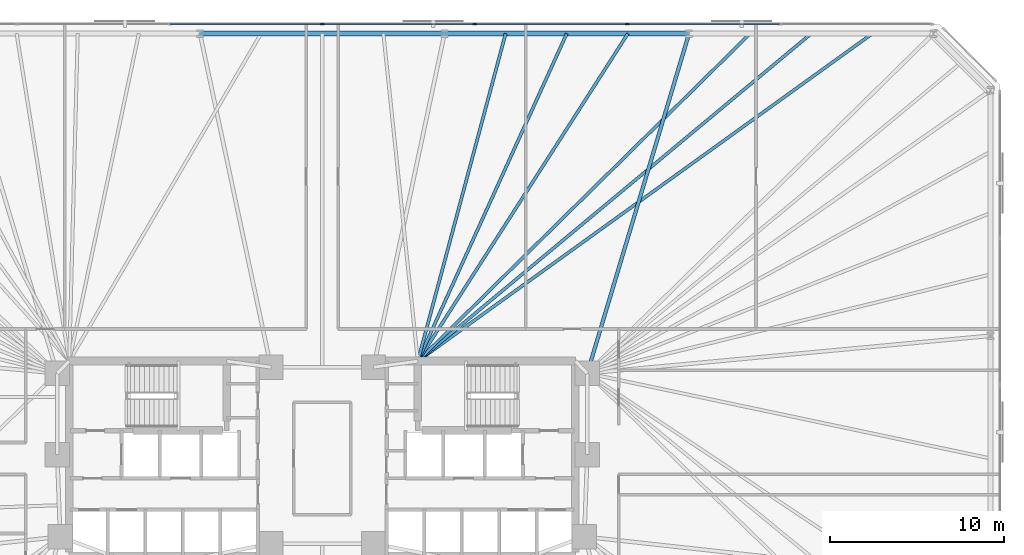
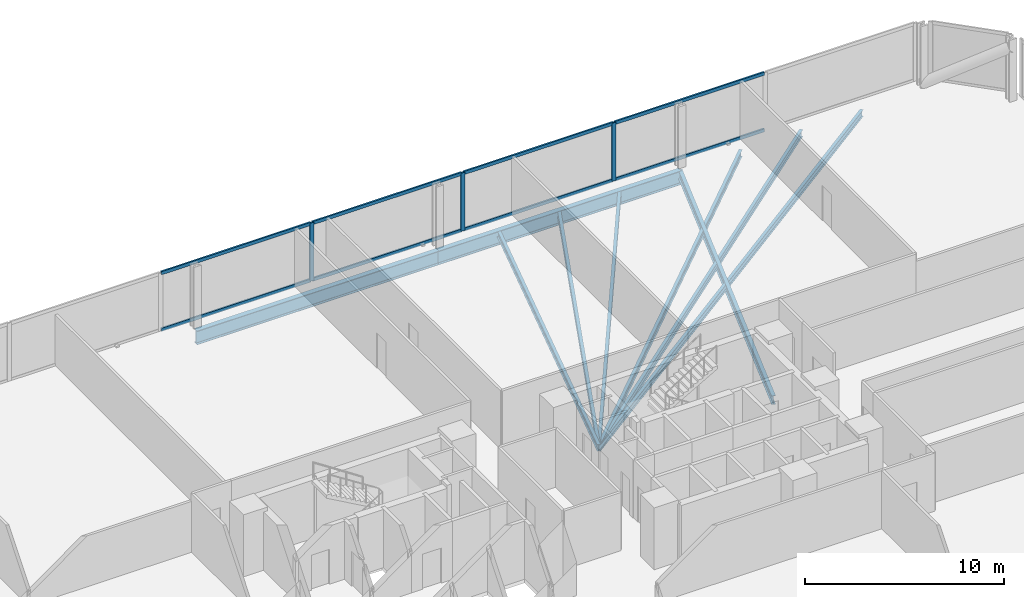
# One storey, part 9 of 17: 11 members, 9 beams, 1 element without a shape of its own.
"""IFC4 building model written with IfcOpenShell, lengths in metres."""

import ifcopenshell
import ifcopenshell.guid

model = None  # the IFC model being written
_history = None  # IfcOwnerHistory: only IFC2X3 demands one
_inside = {}  # id of a spatial element -> (the spatial element, [elements in it])
_under = {}  # id of a project, library or spatial element -> (it, [spatial elements below it])
_declared = {}  # id of a project -> (the project, [libraries it declares])
_typed = {}  # id of a type object -> (the type object, [elements of that type])
_made_of = {}  # id of a material, layer set ... -> (it, [elements and type objects made of it])


def new_model(schema):
    """Start an empty IFC model of exactly this schema.

    Asked for "IFC4X3", IfcOpenShell would pick the latest addendum, in which some entities
    have other attributes; the version numbers below select the first issue.
    IFC2X3 requires an IfcOwnerHistory on every rooted entity: one is made here for all.
    """
    global model, _history
    if schema == "IFC4X3":
        model = ifcopenshell.file(schema_version=(4, 3, 0, 0))
    else:
        model = ifcopenshell.file(schema=schema)
    _inside.clear()
    _under.clear()
    _declared.clear()
    _typed.clear()
    _made_of.clear()
    _history = None
    if model.schema == "IFC2X3":
        org = make("IfcOrganization", Name="unknown")
        user = make(
            "IfcPersonAndOrganization",
            ThePerson=make("IfcPerson", FamilyName="unknown"),
            TheOrganization=org,
        )
        app = make(
            "IfcApplication",
            ApplicationDeveloper=org,
            Version="unknown",
            ApplicationFullName="unknown",
            ApplicationIdentifier="unknown",
        )
        _history = make(
            "IfcOwnerHistory",
            OwningUser=user,
            OwningApplication=app,
            ChangeAction="ADDED",
            CreationDate=0,
        )
    return model


def make(cls, **values):
    """One entity of the class cls with the attributes given. An attribute that is None is left unset."""
    return model.create_entity(
        cls, **{name: value for name, value in values.items() if value is not None}
    )


def rooted(cls, **values):
    """An entity with a GlobalId (a new one), such as an element, a storey or a relation."""
    return make(cls, GlobalId=ifcopenshell.guid.new(), OwnerHistory=_history, **values)


def si_unit(unit_type, name, prefix=None):
    """IfcSIUnit, for example si_unit("LENGTHUNIT", "METRE", prefix="MILLI")."""
    return make("IfcSIUnit", UnitType=unit_type, Prefix=prefix, Name=name)


def assignment(units):
    """IfcUnitAssignment: the units of a project."""
    return None if units is None else make("IfcUnitAssignment", Units=units)


def point(xyz):
    """IfcCartesianPoint."""
    return None if xyz is None else make("IfcCartesianPoint", Coordinates=xyz)


def direction(xyz):
    """IfcDirection."""
    return None if xyz is None else make("IfcDirection", DirectionRatios=xyz)


def frame(location, z_axis=None, x_axis=None):
    """IfcAxis2Placement3D, a coordinate frame: its origin and axes. An axis left out is left unset."""
    return make(
        "IfcAxis2Placement3D",
        Location=point(location),
        Axis=direction(z_axis),
        RefDirection=direction(x_axis),
    )


def frame_2d(location, x_axis=None):
    """IfcAxis2Placement2D, a coordinate frame in the plane: its origin and x axis."""
    return make(
        "IfcAxis2Placement2D", Location=point(location), RefDirection=direction(x_axis)
    )


def origin():
    """The frame at (0, 0, 0) with its axes left unset."""
    return frame((0.0, 0.0, 0.0))


def origin_2d():
    """The frame at (0, 0) in the plane with its x axis left unset."""
    return frame_2d((0.0, 0.0))


def place(relative_to, where):
    """IfcLocalPlacement: puts the frame where relative to a parent placement (None: the world)."""
    return make(
        "IfcLocalPlacement", PlacementRelTo=relative_to, RelativePlacement=where
    )


def context(
    kind, dimensions, precision=None, world=None, true_north=None, identifier=None
):
    """IfcGeometricRepresentationContext, for example the 3D "Model" context."""
    return make(
        "IfcGeometricRepresentationContext",
        ContextIdentifier=identifier,
        ContextType=kind,
        CoordinateSpaceDimension=dimensions,
        Precision=precision,
        WorldCoordinateSystem=world,
        TrueNorth=true_north,
    )


def subcontext(parent, identifier, kind, view, scale=None):
    """IfcGeometricRepresentationSubContext, for example "Body" below "Model"."""
    return make(
        "IfcGeometricRepresentationSubContext",
        ContextIdentifier=identifier,
        ContextType=kind,
        ParentContext=parent,
        TargetScale=scale,
        TargetView=view,
    )


def project(units=None, contexts=None):
    """IfcProject with its units and contexts."""
    return rooted(
        "IfcProject",
        Name="project",
        RepresentationContexts=contexts,
        UnitsInContext=assignment(units),
    )


def spatial(cls, under=None, at=None, **own):
    """A site, building, storey or space (cls), placed at a placement, below another one or the project."""
    s = rooted(cls, ObjectPlacement=at, **own)
    if under is not None:
        _under.setdefault(under.id(), (under, []))[1].append(s)
    return s


def profile(cls, at=None, kind="AREA", **sizes):
    """A parametric profile (cls). Its sizes go by their IFC names, for example OverallWidth=200.0."""
    return make(cls, ProfileType=kind, Position=at, **sizes)


def rectangle(**sizes):
    """IfcRectangleProfileDef."""
    return profile("IfcRectangleProfileDef", **sizes)


def i_section(**sizes):
    """IfcIShapeProfileDef."""
    return profile("IfcIShapeProfileDef", **sizes)


def extrude(swept, where, along, depth):
    """IfcExtrudedAreaSolid: the profile swept, set in the frame where, extruded along a direction by depth."""
    return make(
        "IfcExtrudedAreaSolid",
        SweptArea=swept,
        Position=where,
        ExtrudedDirection=direction(along),
        Depth=depth,
    )


def shape(context_of_items, identifier, shape_type, items):
    """IfcShapeRepresentation: the items that make up one representation, for example the "Body"."""
    return make(
        "IfcShapeRepresentation",
        ContextOfItems=context_of_items,
        RepresentationIdentifier=identifier,
        RepresentationType=shape_type,
        Items=items,
    )


def material(Name=None, Category=None):
    """IfcMaterial."""
    return make("IfcMaterial", Name=Name, Category=Category)


def material_profile(
    of_material, cross_section, Name=None, Category=None, Priority=None
):
    """IfcMaterialProfile: a cross section and its material."""
    return make(
        "IfcMaterialProfile",
        Name=Name,
        Material=of_material,
        Profile=cross_section,
        Priority=Priority,
        Category=Category,
    )


def profile_set(profiles, Name=None, composite=None):
    """IfcMaterialProfileSet."""
    return make(
        "IfcMaterialProfileSet",
        Name=Name,
        MaterialProfiles=profiles,
        CompositeProfile=composite,
    )


def made_of(thing, what):
    """Note that an element or type object is made of a material, layer set ...; save() writes the relation."""
    if what is not None:
        _made_of.setdefault(what.id(), (what, []))[1].append(thing)
    return thing


def type_object(cls, material=None, **own):
    """A type object (cls), such as IfcWallType, which elements share."""
    return made_of(rooted(cls, **own), material)


def element(
    cls,
    number,
    at=None,
    inside=None,
    cuts=None,
    type_object=None,
    material=None,
    context=None,
    identifier="Body",
    shape_type=None,
    held_by="IfcProductDefinitionShape",
    body=None,
    shapes=None,
    **own,
):
    """One element of the class cls, such as IfcWall. Its Tag is "e" and its number.

    at: its placement. inside: the storey or other place that contains it. cuts: it is an
    opening in that element (IfcRelVoidsElement). A single representation is given by context,
    identifier, shape_type and body (its items); several are given by shapes. held_by: the class
    of the entity that holds the representations. save() writes the other relations.
    """
    e = rooted(cls, Tag="e%d" % number, ObjectPlacement=at, **own)
    if body is not None:
        shapes = [shape(context, identifier, shape_type, body)]
    if shapes is not None:
        e.Representation = make(held_by, Representations=shapes)
    if inside is not None:
        _inside.setdefault(inside.id(), (inside, []))[1].append(e)
    if cuts is not None:
        rooted(
            "IfcRelVoidsElement", RelatingBuildingElement=cuts, RelatedOpeningElement=e
        )
    if type_object is not None:
        _typed.setdefault(type_object.id(), (type_object, []))[1].append(e)
    return made_of(e, material)


def aggregate(whole, parts):
    """IfcRelAggregates: a whole, such as a stair, and the parts it consists of."""
    return rooted("IfcRelAggregates", RelatingObject=whole, RelatedObjects=parts)


def save(model, path):
    """Write the relations noted so far, then the file.

    IfcRelAggregates (storeys below a building ...), IfcRelContainedInSpatialStructure (elements
    in a storey), IfcRelDefinesByType, IfcRelAssociatesMaterial and IfcRelDeclares: one each for
    every whole, place, type object, material and project.
    """
    for whole, parts in _under.values():
        aggregate(whole, parts)
    for where, things in _inside.values():
        rooted(
            "IfcRelContainedInSpatialStructure",
            RelatedElements=things,
            RelatingStructure=where,
        )
    for kind, things in _typed.values():
        rooted("IfcRelDefinesByType", RelatedObjects=things, RelatingType=kind)
    for what, things in _made_of.values():
        rooted("IfcRelAssociatesMaterial", RelatedObjects=things, RelatingMaterial=what)
    for by, libraries in _declared.values():
        rooted("IfcRelDeclares", RelatingContext=by, RelatedDefinitions=libraries)
    model.write(path)


model = new_model("IFC4")

# Units and contexts
model_context = context("Model", 3, precision=1e-05, world=origin(), true_north=direction((0.0, 1.0)))
body_context = subcontext(model_context, "Body", "Model", "MODEL_VIEW")
ifc_project = project(units=[si_unit("LENGTHUNIT", "METRE"), si_unit("AREAUNIT", "SQUARE_METRE"), si_unit("VOLUMEUNIT", "CUBIC_METRE"), si_unit("PLANEANGLEUNIT", "RADIAN"), si_unit("MASSUNIT", "GRAM", prefix="KILO")], contexts=[model_context])

# Site, building, storey
site_placement = place(None, origin())
site = spatial("IfcSite", under=ifc_project, at=site_placement, CompositionType="ELEMENT")
building_placement = place(site_placement, origin())
building = spatial("IfcBuilding", under=site, at=building_placement, Name="Menara Jurai Vektor", CompositionType="ELEMENT")
storey_placement = place(building_placement, frame((0.0, 0.0, 18.0)))
storey = spatial("IfcBuildingStorey", under=building, at=storey_placement, Name="L03", CompositionType="ELEMENT", Elevation=18.0)

# Curtain wall, members
ifc_material_1 = material(Name="Anodised Pale Aluminium & Low-E Double Glazing", Category="aluminium")
curtain_wall_type = type_object("IfcCurtainWallType", Name="CW-BLK1", PredefinedType="NOTDEFINED", material=ifc_material_1)
curtain_wall_placement = place(storey_placement, origin())
curtain_wall = element("IfcCurtainWall", 1, at=curtain_wall_placement, inside=storey, type_object=curtain_wall_type, Name="Unitised Curtain Wall L03 F05", PredefinedType="NOTDEFINED")
ifc_material_2 = material(Name="Anodised Pale Aluminium Mullion", Category="aluminium")
ifc_material_profile_1 = material_profile(ifc_material_2, rectangle(XDim=0.094970703125, YDim=0.239990234375, at=origin_2d()), Name="ALU MUL 95x240")
ifc_profile_set_1 = profile_set([ifc_material_profile_1], Name="Anodised Pale Aluminium Mullion")
member_type_1 = type_object("IfcMemberType", Name="CW-BLK1-MUL", PredefinedType="MULLION", material=ifc_profile_set_1)
member_1_placement = place(storey_placement, frame((17.56005859375, 25.0, 0.0), z_axis=(0.0, 0.0, 1.0), x_axis=(0.0, -1.0, 0.0)))
member_1 = element("IfcMember", 2, at=member_1_placement, type_object=member_type_1, Name="CW-01 mullion 3", PredefinedType="MULLION", context=body_context, shape_type="SweptSolid", body=[
    extrude(rectangle(XDim=0.094970703125, YDim=0.239990234375, at=origin_2d()), origin(), (0.0, 0.0, 1.0), 3.574951171875),
])
member_2_placement = place(storey_placement, frame((8.780029296875, 25.0, 0.0), z_axis=(0.0, 0.0, 1.0), x_axis=(0.0, -1.0, 0.0)))
member_2 = element("IfcMember", 3, at=member_2_placement, type_object=member_type_1, Name="CW-01 mullion 4", PredefinedType="MULLION", context=body_context, shape_type="SweptSolid", body=[
    extrude(rectangle(XDim=0.094970703125, YDim=0.239990234375, at=origin_2d()), origin(), (0.0, 0.0, 1.0), 3.574951171875),
])
member_3_placement = place(storey_placement, frame((0.0, 25.0, 0.0), z_axis=(0.0, 0.0, 1.0), x_axis=(0.0, -1.0, 0.0)))
member_3 = element("IfcMember", 4, at=member_3_placement, type_object=member_type_1, Name="CW-01 mullion 5", PredefinedType="MULLION", context=body_context, shape_type="SweptSolid", body=[
    extrude(rectangle(XDim=0.094970703125, YDim=0.239990234375, at=origin_2d()), origin(), (0.0, 0.0, 1.0), 3.574951171875),
])
ifc_material_3 = material(Name="Anodised Pale Aluminium Transom", Category="aluminium")
ifc_material_profile_2 = material_profile(ifc_material_3, rectangle(XDim=0.094970703125, YDim=0.199951171875, at=origin_2d()), Name="ALU TRN 95x200")
ifc_profile_set_2 = profile_set([ifc_material_profile_2], Name="Anodised Pale Aluminium Transom")
member_type_2 = type_object("IfcMemberType", Name="CW-BLK1-TRN", PredefinedType="USERDEFINED", material=ifc_profile_set_2)
member_4_placement = place(storey_placement, frame((26.29248046875, 25.0, 0.047607421875), z_axis=(-1.0, 0.0, 0.0), x_axis=(0.0, -1.0, 0.0)))
member_4 = element("IfcMember", 5, at=member_4_placement, type_object=member_type_2, Name="CW-01 transom 2.1", ObjectType="TRANSOM", PredefinedType="USERDEFINED", context=body_context, shape_type="SweptSolid", body=[
    extrude(rectangle(XDim=0.094970703125, YDim=0.199951171875, at=origin_2d()), origin(), (0.0, 0.0, 1.0), 8.68505859375),
])
member_5_placement = place(storey_placement, frame((26.29248046875, 25.0, 3.527587890625), z_axis=(-1.0, 0.0, 0.0), x_axis=(0.0, -1.0, 0.0)))
member_5 = element("IfcMember", 6, at=member_5_placement, type_object=member_type_2, Name="CW-01 transom 2.2", ObjectType="TRANSOM", PredefinedType="USERDEFINED", context=body_context, shape_type="SweptSolid", body=[
    extrude(rectangle(XDim=0.094970703125, YDim=0.199951171875, at=origin_2d()), origin(), (0.0, 0.0, 1.0), 8.68505859375),
])
member_6_placement = place(storey_placement, frame((17.512451171875, 25.0, 0.047607421875), z_axis=(-1.0, 0.0, 0.0), x_axis=(0.0, -1.0, 0.0)))
member_6 = element("IfcMember", 7, at=member_6_placement, type_object=member_type_2, Name="CW-01 transom 3.1", ObjectType="TRANSOM", PredefinedType="USERDEFINED", context=body_context, shape_type="SweptSolid", body=[
    extrude(rectangle(XDim=0.094970703125, YDim=0.199951171875, at=origin_2d()), origin(), (0.0, 0.0, 1.0), 8.68505859375),
])
member_7_placement = place(storey_placement, frame((17.512451171875, 25.0, 3.527587890625), z_axis=(-1.0, 0.0, 0.0), x_axis=(0.0, -1.0, 0.0)))
member_7 = element("IfcMember", 8, at=member_7_placement, type_object=member_type_2, Name="CW-01 transom 3.2", ObjectType="TRANSOM", PredefinedType="USERDEFINED", context=body_context, shape_type="SweptSolid", body=[
    extrude(rectangle(XDim=0.094970703125, YDim=0.199951171875, at=origin_2d()), origin(), (0.0, 0.0, 1.0), 8.68505859375),
])
member_8_placement = place(storey_placement, frame((8.732421875, 25.0, 0.047607421875), z_axis=(-1.0, 0.0, 0.0), x_axis=(0.0, -1.0, 0.0)))
member_8 = element("IfcMember", 9, at=member_8_placement, type_object=member_type_2, Name="CW-01 transom 4.1", ObjectType="TRANSOM", PredefinedType="USERDEFINED", context=body_context, shape_type="SweptSolid", body=[
    extrude(rectangle(XDim=0.094970703125, YDim=0.199951171875, at=origin_2d()), origin(), (0.0, 0.0, 1.0), 8.684814453125),
])
member_9_placement = place(storey_placement, frame((8.732421875, 25.0, 3.527587890625), z_axis=(-1.0, 0.0, 0.0), x_axis=(0.0, -1.0, 0.0)))
member_9 = element("IfcMember", 10, at=member_9_placement, type_object=member_type_2, Name="CW-01 transom 4.2", ObjectType="TRANSOM", PredefinedType="USERDEFINED", context=body_context, shape_type="SweptSolid", body=[
    extrude(rectangle(XDim=0.094970703125, YDim=0.199951171875, at=origin_2d()), origin(), (0.0, 0.0, 1.0), 8.684814453125),
])
member_10_placement = place(storey_placement, frame((-0.047607421875, 25.0, 0.047607421875), z_axis=(-1.0, 0.0, 0.0), x_axis=(0.0, -1.0, 0.0)))
member_10 = element("IfcMember", 11, at=member_10_placement, type_object=member_type_2, Name="CW-01 transom 5.1", ObjectType="TRANSOM", PredefinedType="USERDEFINED", context=body_context, shape_type="SweptSolid", body=[
    extrude(rectangle(XDim=0.094970703125, YDim=0.199951171875, at=origin_2d()), origin(), (0.0, 0.0, 1.0), 8.684814453125),
])
member_11_placement = place(storey_placement, frame((-0.047607421875, 25.0, 3.527587890625), z_axis=(-1.0, 0.0, 0.0), x_axis=(0.0, -1.0, 0.0)))
member_11 = element("IfcMember", 12, at=member_11_placement, type_object=member_type_2, Name="CW-01 transom 5.2", ObjectType="TRANSOM", PredefinedType="USERDEFINED", context=body_context, shape_type="SweptSolid", body=[
    extrude(rectangle(XDim=0.094970703125, YDim=0.199951171875, at=origin_2d()), origin(), (0.0, 0.0, 1.0), 8.684814453125),
])
aggregate(curtain_wall, [member_1, member_2, member_3, member_4, member_5, member_6, member_7, member_8, member_9, member_10, member_11])

# Beams
ifc_material_4 = material(Name="Steel S355", Category="steel")
ifc_material_profile_3 = material_profile(ifc_material_4, i_section(OverallWidth=0.2109375, OverallDepth=0.5390625, WebThickness=0.011962890625, FlangeThickness=0.01904296875, FilletRadius=0.012939453125, at=origin_2d()), Name="UKB 533x210x109")
ifc_profile_set_3 = profile_set([ifc_material_profile_3], Name="Steel S355")
beam_type_1 = type_object("IfcBeamType", Name="STR-BM-533", PredefinedType="BEAM", material=ifc_profile_set_3)
beam_1_placement = place(storey_placement, frame((21.106689453125, 24.449951171875, -0.494384765625), z_axis=(-0.286973617166, -0.957938486047, 0.0), x_axis=(0.957938486047, -0.286973617166, 0.0)))
element("IfcBeam", 13, at=beam_1_placement, inside=storey, type_object=beam_type_1, Name="Radial Floor Girder L03-N2", PredefinedType="BEAM", context=body_context, shape_type="SweptSolid", body=[
    extrude(i_section(OverallWidth=0.2109375, OverallDepth=0.5390625, WebThickness=0.011962890625, FlangeThickness=0.01904296875, FilletRadius=0.012939453125, at=origin_2d()), origin(), (0.0, 0.0, 1.0), 20.408447265625),
])
ifc_material_profile_4 = material_profile(ifc_material_4, i_section(OverallWidth=0.178955078125, OverallDepth=0.408935546875, WebThickness=0.009033203125, FlangeThickness=0.013916015625, FilletRadius=0.010009765625, at=origin_2d()), Name="UKB 406x178x67")
ifc_profile_set_4 = profile_set([ifc_material_profile_4], Name="Steel S355")
beam_type_2 = type_object("IfcBeamType", Name="STR-JS-406", PredefinedType="JOIST", material=ifc_profile_set_4)
beam_2_placement = place(storey_placement, frame((31.659912109375, 24.449951171875, -0.429443359375), z_axis=(-0.81131785733, -0.584605280833, 0.0), x_axis=(0.584605280833, -0.81131785733, 0.0)))
element("IfcBeam", 14, at=beam_2_placement, inside=storey, type_object=beam_type_2, Name="Radial Secondary Floor Joist L03-JS16", PredefinedType="JOIST", context=body_context, shape_type="SweptSolid", body=[
    extrude(i_section(OverallWidth=0.178955078125, OverallDepth=0.408935546875, WebThickness=0.009033203125, FlangeThickness=0.013916015625, FilletRadius=0.010009765625, at=origin_2d()), origin(), (0.0, 0.0, 1.0), 32.24365234375),
])
beam_3_placement = place(storey_placement, frame((28.142333984375, 24.449951171875, -0.429443359375), z_axis=(-0.76853431665, -0.639808568347, 0.0), x_axis=(0.639808568347, -0.76853431665, 0.0)))
element("IfcBeam", 15, at=beam_3_placement, inside=storey, type_object=beam_type_2, Name="Radial Secondary Floor Joist L03-JS17", PredefinedType="JOIST", context=body_context, shape_type="SweptSolid", body=[
    extrude(i_section(OverallWidth=0.178955078125, OverallDepth=0.408935546875, WebThickness=0.009033203125, FlangeThickness=0.013916015625, FilletRadius=0.010009765625, at=origin_2d()), origin(), (0.0, 0.0, 1.0), 29.461669921875),
])
beam_4_placement = place(storey_placement, frame((24.62451171875, 24.449951171875, -0.429443359375), z_axis=(-0.712202462998, -0.70197411042, 0.0), x_axis=(0.70197411042, -0.712202462998, 0.0)))
element("IfcBeam", 16, at=beam_4_placement, inside=storey, type_object=beam_type_2, Name="Radial Secondary Floor Joist L03-JS18", PredefinedType="JOIST", context=body_context, shape_type="SweptSolid", body=[
    extrude(i_section(OverallWidth=0.178955078125, OverallDepth=0.408935546875, WebThickness=0.009033203125, FlangeThickness=0.013916015625, FilletRadius=0.010009765625, at=origin_2d()), origin(), (0.0, 0.0, 1.0), 26.8525390625),
])
beam_5_placement = place(storey_placement, frame((17.5888671875, 24.449951171875, -0.429443359375), z_axis=(-0.53984422461, -0.841764939372, 0.0), x_axis=(0.841764939372, -0.53984422461, 0.0)))
element("IfcBeam", 17, at=beam_5_placement, inside=storey, type_object=beam_type_2, Name="Radial Secondary Floor Joist L03-JS19", PredefinedType="JOIST", context=body_context, shape_type="SweptSolid", body=[
    extrude(i_section(OverallWidth=0.178955078125, OverallDepth=0.408935546875, WebThickness=0.009033203125, FlangeThickness=0.013916015625, FilletRadius=0.010009765625, at=origin_2d()), origin(), (0.0, 0.0, 1.0), 22.393310546875),
])
beam_6_placement = place(storey_placement, frame((14.071044921875, 24.449951171875, -0.429443359375), z_axis=(-0.413920197297, -0.910313171535, 0.0), x_axis=(0.910313171535, -0.413920197297, 0.0)))
element("IfcBeam", 18, at=beam_6_placement, inside=storey, type_object=beam_type_2, Name="Radial Secondary Floor Joist L03-JS20", PredefinedType="JOIST", context=body_context, shape_type="SweptSolid", body=[
    extrude(i_section(OverallWidth=0.178955078125, OverallDepth=0.408935546875, WebThickness=0.009033203125, FlangeThickness=0.013916015625, FilletRadius=0.010009765625, at=origin_2d()), origin(), (0.0, 0.0, 1.0), 20.70703125),
])
beam_7_placement = place(storey_placement, frame((10.55322265625, 24.449951171875, -0.429443359375), z_axis=(-0.258934723238, -0.965894823002, 0.0), x_axis=(0.965894823002, -0.258934723238, 0.0)))
element("IfcBeam", 19, at=beam_7_placement, inside=storey, type_object=beam_type_2, Name="Radial Secondary Floor Joist L03-JS21", PredefinedType="JOIST", context=body_context, shape_type="SweptSolid", body=[
    extrude(i_section(OverallWidth=0.178955078125, OverallDepth=0.408935546875, WebThickness=0.009033203125, FlangeThickness=0.013916015625, FilletRadius=0.010009765625, at=origin_2d()), origin(), (0.0, 0.0, 1.0), 19.515380859375),
])
ifc_material_5 = material(Name="Steel S460", Category="steel")
ifc_material_profile_5 = material_profile(ifc_material_5, i_section(OverallWidth=0.2939453125, OverallDepth=0.85107421875, WebThickness=0.01611328125, FlangeThickness=0.027099609375, FilletRadius=0.01806640625, at=origin_2d()), Name="UKB 838x292x226")
ifc_profile_set_5 = profile_set([ifc_material_profile_5], Name="Steel S460")
beam_type_3 = type_object("IfcBeamType", Name="STR-SP-838", PredefinedType="SPANDREL", material=ifc_profile_set_5)
beam_8_placement = place(storey_placement, frame((21.106689453125, 24.449951171875, -0.650390625), z_axis=(-1.0, 0.0, 0.0), x_axis=(0.0, -1.0, 0.0)))
element("IfcBeam", 20, at=beam_8_placement, inside=storey, type_object=beam_type_3, Name="Exoskeleton Spandrel Beam L03-12", PredefinedType="SPANDREL", context=body_context, shape_type="SweptSolid", body=[
    extrude(i_section(OverallWidth=0.2939453125, OverallDepth=0.85107421875, WebThickness=0.01611328125, FlangeThickness=0.027099609375, FilletRadius=0.01806640625, at=origin_2d()), origin(), (0.0, 0.0, 1.0), 14.071044921875),
])
beam_9_placement = place(storey_placement, frame((7.03564453125, 24.449951171875, -0.650390625), z_axis=(-1.0, 0.0, 0.0), x_axis=(0.0, -1.0, 0.0)))
element("IfcBeam", 21, at=beam_9_placement, inside=storey, type_object=beam_type_3, Name="Exoskeleton Spandrel Beam L03-13", PredefinedType="SPANDREL", context=body_context, shape_type="SweptSolid", body=[
    extrude(i_section(OverallWidth=0.2939453125, OverallDepth=0.85107421875, WebThickness=0.01611328125, FlangeThickness=0.027099609375, FilletRadius=0.01806640625, at=origin_2d()), origin(), (0.0, 0.0, 1.0), 14.0712890625),
])

save(model, "model.ifc")
